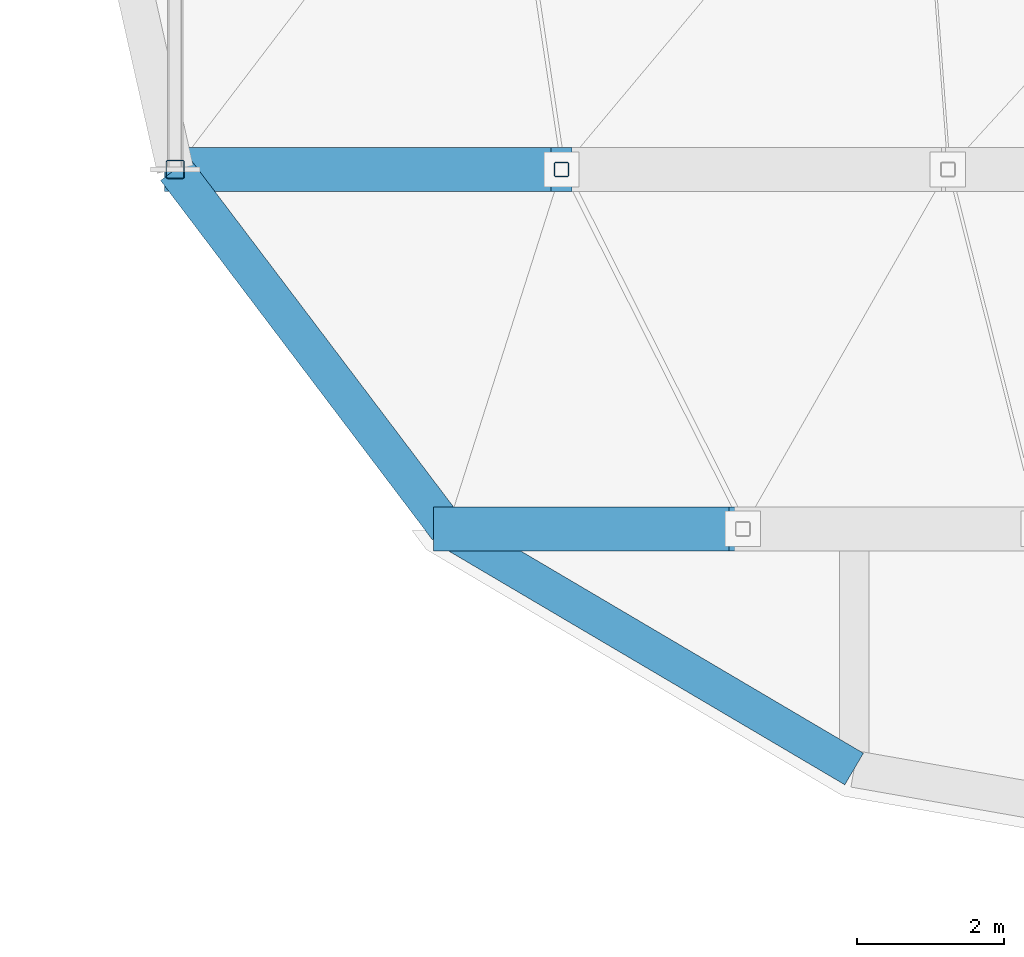
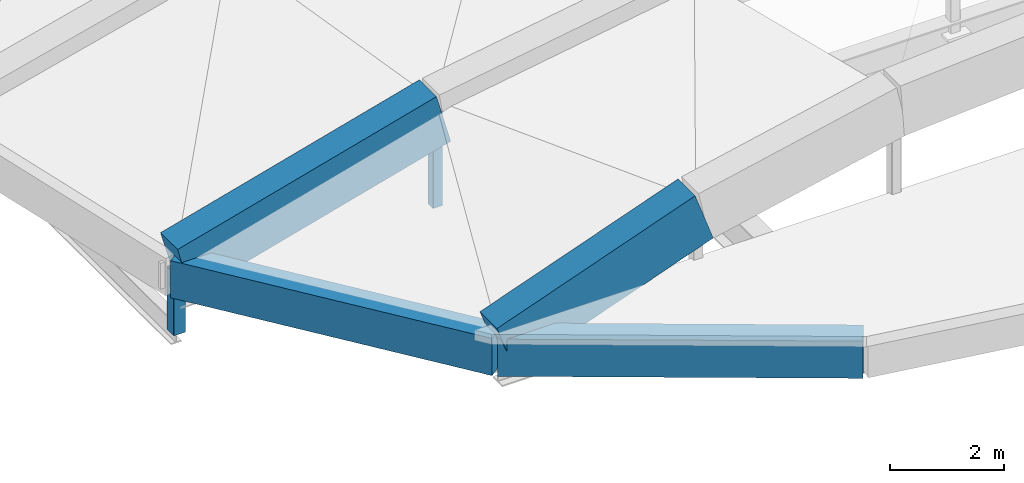
# One storey, part 45 of 88: 4 beams, 2 members.
"""IFC4 building model written with IfcOpenShell, lengths in metres."""

from ifc_helpers import new_model, si_unit, direction, frame, origin, origin_2d, place, context, subcontext, project, spatial, rectangle, hollow_rectangle, extrude, material, material_profile, profile_set, type_object, element, save


model = new_model("IFC4")

# Units and contexts
model_context = context("Model", 3, precision=1e-05, world=origin(), true_north=direction((0.0, 1.0)))
body_context = subcontext(model_context, "Body", "Model", "MODEL_VIEW")
ifc_project = project(units=[si_unit("LENGTHUNIT", "METRE"), si_unit("AREAUNIT", "SQUARE_METRE"), si_unit("VOLUMEUNIT", "CUBIC_METRE"), si_unit("PLANEANGLEUNIT", "RADIAN"), si_unit("MASSUNIT", "GRAM", prefix="KILO")], contexts=[model_context])

# Site, building, storey
site_placement = place(None, origin())
site = spatial("IfcSite", under=ifc_project, at=site_placement, CompositionType="ELEMENT")
building_placement = place(site_placement, origin())
building = spatial("IfcBuilding", under=site, at=building_placement, Name="Vespera Passage Community Centre", CompositionType="ELEMENT")
storey_placement = place(building_placement, frame((0.0, 0.0, 16.5)))
storey = spatial("IfcBuildingStorey", under=building, at=storey_placement, Name="L04", CompositionType="ELEMENT", Elevation=16.5)

# Beams
ifc_material_1 = material(Name="Concrete f'c 45 MPa", Category="concrete")
ifc_material_profile_1 = material_profile(ifc_material_1, rectangle(XDim=0.60009765625, YDim=1.10009765625, at=origin_2d()), Name="RC600X1100")
ifc_profile_set_1 = profile_set([ifc_material_profile_1], Name="Concrete f'c 45 MPa")
beam_type_1 = type_object("IfcBeamType", Name="BM-AR-600X1100", PredefinedType="USERDEFINED", material=ifc_profile_set_1)
beam_1_placement = place(storey_placement, frame((130.908447265625, 78.82275390625, -0.419921875), z_axis=(0.941381435072, 0.0, 0.337344028705), x_axis=(0.0, 1.0, 0.0)))
element("IfcBeam", 1, at=beam_1_placement, inside=storey, type_object=beam_type_1, Name="Sports Hall Arched Rib 1.1", ObjectType="ARCH RIB", PredefinedType="USERDEFINED", context=body_context, shape_type="SweptSolid", body=[
    extrude(rectangle(XDim=0.60009765625, YDim=1.10009765625, at=origin_2d()), origin(), (0.0, 0.0, 1.0), 4.281494140625),
])
beam_2_placement = place(storey_placement, frame((127.20166015625, 83.721435546875, -0.419921875), z_axis=(0.964385203819, 0.0, 0.264501755484), x_axis=(0.0, 1.0, 0.0)))
element("IfcBeam", 2, at=beam_2_placement, inside=storey, type_object=beam_type_1, Name="Sports Hall Arched Rib 2.1", ObjectType="ARCH RIB", PredefinedType="USERDEFINED", context=body_context, shape_type="SweptSolid", body=[
    extrude(rectangle(XDim=0.60009765625, YDim=1.10009765625, at=origin_2d()), origin(), (0.0, 0.0, 1.0), 5.460693359375),
])
ifc_material_2 = material(Name="Concrete f'c 35 MPa", Category="concrete")
ifc_material_profile_2 = material_profile(ifc_material_2, rectangle(XDim=0.5, YDim=0.800048828125, at=origin_2d()), Name="RC500X800")
ifc_profile_set_2 = profile_set([ifc_material_profile_2], Name="Concrete f'c 35 MPa")
beam_type_2 = type_object("IfcBeamType", Name="BM-SP-500X800E", PredefinedType="SPANDREL", material=ifc_profile_set_2)
beam_3_placement = place(storey_placement, frame((127.20166015625, 83.721435546875, -0.60009765625), z_axis=(0.603409203322, -0.797431710773, 0.0), x_axis=(0.797431710773, 0.603409203322, 0.0)))
element("IfcBeam", 3, at=beam_3_placement, inside=storey, type_object=beam_type_2, Name="V2 L04 Perimeter Spandrel 10", PredefinedType="SPANDREL", context=body_context, shape_type="SweptSolid", body=[
    extrude(rectangle(XDim=0.5, YDim=0.800048828125, at=origin_2d()), origin(), (0.0, 0.0, 1.0), 6.14306640625),
])
beam_4_placement = place(storey_placement, frame((130.908447265625, 78.82275390625, -0.60009765625), z_axis=(0.861245535965, -0.508189065978, 0.0), x_axis=(0.508189065978, 0.861245535965, 0.0)))
element("IfcBeam", 4, at=beam_4_placement, inside=storey, type_object=beam_type_2, Name="V2 L04 Perimeter Spandrel 11", PredefinedType="SPANDREL", context=body_context, shape_type="SweptSolid", body=[
    extrude(rectangle(XDim=0.5, YDim=0.800048828125, at=origin_2d()), origin(), (0.0, 0.0, 1.0), 6.44140625),
])

# Members
ifc_material_3 = material(Name="Steel ASTM A500 Grade C", Category="steel")
ifc_material_profile_3 = material_profile(ifc_material_3, hollow_rectangle(XDim=0.203125, YDim=0.203125, WallThickness=0.01171875, InnerFilletRadius=0.01171875, OuterFilletRadius=0.023681640625, at=origin_2d()), Name="HSS203X203X12.7")
ifc_profile_set_3 = profile_set([ifc_material_profile_3], Name="Steel ASTM A500 Grade C")
member_type_1 = type_object("IfcMemberType", Name="SS-203", PredefinedType="STRUT", material=ifc_profile_set_3)
member_1_placement = place(storey_placement, frame((132.4677734375, 83.721435546875, -0.989990234375), z_axis=(0.0, 0.0, 1.0), x_axis=(1.0, 0.0, 0.0)))
element("IfcMember", 5, at=member_1_placement, inside=storey, type_object=member_type_1, Name="Sports Hall Arch Rib 2 Bowstring Post 1", PredefinedType="STRUT", context=body_context, shape_type="SweptSolid", body=[
    extrude(hollow_rectangle(XDim=0.203125, YDim=0.203125, WallThickness=0.01171875, InnerFilletRadius=0.01171875, OuterFilletRadius=0.023681640625, at=origin_2d()), origin(), (0.0, 0.0, 1.0), 2.014404296875),
])
ifc_material_4 = material(Name="Steel ASTM A500 Grade C", Category="steel")
ifc_material_profile_4 = material_profile(ifc_material_4, hollow_rectangle(XDim=0.25390625, YDim=0.25390625, WallThickness=0.01171875, InnerFilletRadius=0.01171875, OuterFilletRadius=0.023681640625, at=origin_2d()), Name="HSS254X254X12.7")
ifc_profile_set_4 = profile_set([ifc_material_profile_4], Name="Steel ASTM A500 Grade C")
member_type_2 = type_object("IfcMemberType", Name="TP-254", PredefinedType="POST", material=ifc_profile_set_4)
member_2_placement = place(storey_placement, frame((127.20166015625, 83.721435546875, -1.860107421875), z_axis=(0.0, 0.0, 1.0), x_axis=(1.0, 0.0, 0.0)))
element("IfcMember", 6, at=member_2_placement, inside=storey, type_object=member_type_2, Name="Sports Eave Post 2.3", PredefinedType="POST", context=body_context, shape_type="SweptSolid", body=[
    extrude(hollow_rectangle(XDim=0.25390625, YDim=0.25390625, WallThickness=0.01171875, InnerFilletRadius=0.01171875, OuterFilletRadius=0.023681640625, at=origin_2d()), origin(), (0.0, 0.0, 1.0), 1.35009765625),
])

save(model, "model.ifc")
